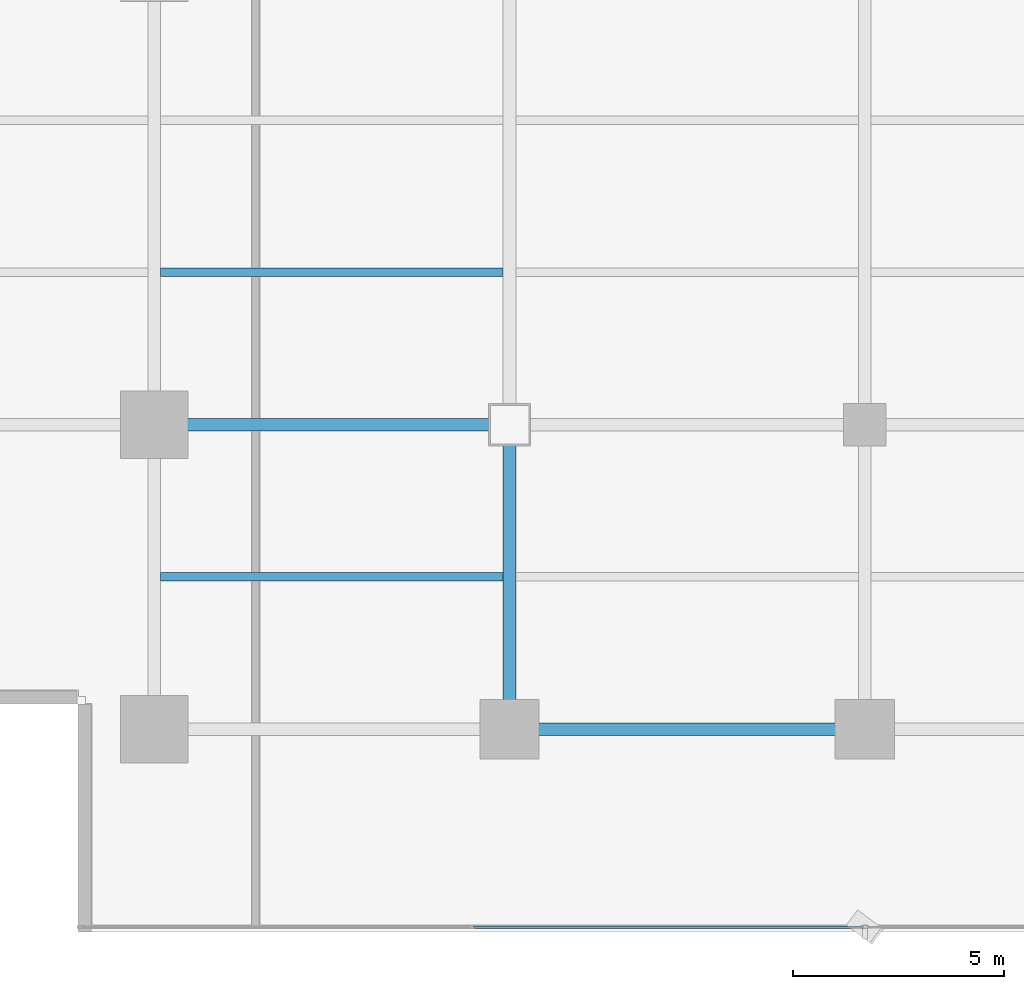
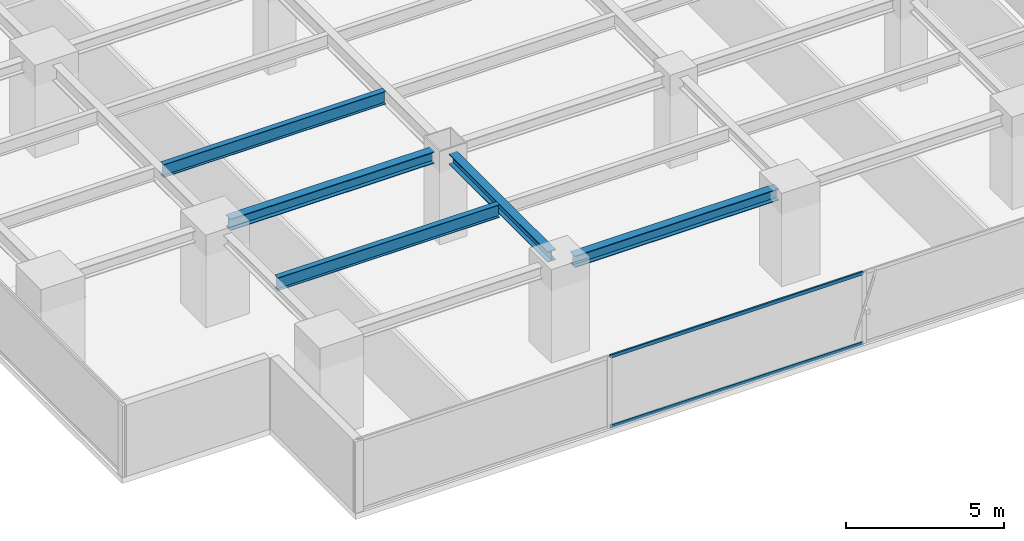
# One storey, part 4 of 27: 5 beams, 2 members, 1 element without a shape of its own.
"""IFC4 building model written with IfcOpenShell, lengths in metres."""

from ifc_helpers import new_model, si_unit, direction, frame, origin, origin_2d, place, context, subcontext, project, spatial, hollow_rectangle, i_section, extrude, source, transform, mapped, material, layer, layer_set, material_profile, profile_set, type_object, element, aggregate, save


model = new_model("IFC4")

# Units and contexts
model_context = context("Model", 3, precision=1e-05, world=origin(), true_north=direction((0.0, 1.0)))
body_context = subcontext(model_context, "Body", "Model", "MODEL_VIEW")
ifc_project = project(units=[si_unit("LENGTHUNIT", "METRE"), si_unit("AREAUNIT", "SQUARE_METRE"), si_unit("VOLUMEUNIT", "CUBIC_METRE"), si_unit("PLANEANGLEUNIT", "RADIAN"), si_unit("MASSUNIT", "GRAM", prefix="KILO")], contexts=[model_context])

# Site, building, storey
site_placement = place(None, origin())
site = spatial("IfcSite", under=ifc_project, at=site_placement, CompositionType="ELEMENT")
building_placement = place(site_placement, origin())
building = spatial("IfcBuilding", under=site, at=building_placement, Name="Sumidabori Civic Tower", CompositionType="ELEMENT")
storey_placement = place(building_placement, frame((0.0, 0.0, 156.800048828125)))
storey = spatial("IfcBuildingStorey", under=building, at=storey_placement, Name="L40", CompositionType="ELEMENT", Elevation=156.800048828125)

# Beams
ifc_material_1 = material(Name="Steel SN490", Category="steel")
ifc_material_profile_1 = material_profile(ifc_material_1, i_section(OverallWidth=0.300048828125, OverallDepth=0.39990234375, WebThickness=0.013427734375, FlangeThickness=0.02392578125, at=origin_2d()), Name="HE 400 B")
ifc_profile_set_1 = profile_set([ifc_material_profile_1], Name="Steel SN490")
beam_type_1 = type_object("IfcBeamType", Name="BM-GIRD-400", PredefinedType="BEAM", material=ifc_profile_set_1)
shared_shape_1 = source(origin(), body_context, "Body", "SweptSolid", [
    extrude(i_section(OverallWidth=0.300048828125, OverallDepth=0.39990234375, WebThickness=0.013427734375, FlangeThickness=0.02392578125, at=origin_2d()), origin(), (0.0, 0.0, 1.0), 6.239990234375),
])
beam_1_placement = place(storey_placement, frame((-8.39990234375, -17.52001953125, 3.179931640625), z_axis=(0.0, 1.0, 0.0), x_axis=(-1.0, 0.0, 0.0)))
element("IfcBeam", 1, at=beam_1_placement, inside=storey, type_object=beam_type_1, Name="Primary Girder L40 GY-26", PredefinedType="BEAM", context=body_context, shape_type="MappedRepresentation", body=[
    mapped(shared_shape_1, transform((0.0, 0.0, 0.0), x_axis=(1.0, 0.0, 0.0), y_axis=(0.0, 1.0, 0.0), z_axis=(0.0, 0.0, 1.0), scale=1.0)),
])
ifc_material_profile_2 = material_profile(ifc_material_1, i_section(OverallWidth=0.199951171875, OverallDepth=0.5, WebThickness=0.01025390625, FlangeThickness=0.01611328125, at=origin_2d()), Name="IPE 500")
ifc_profile_set_2 = profile_set([ifc_material_profile_2], Name="Steel SN490")
beam_type_2 = type_object("IfcBeamType", Name="BM-JST-500", PredefinedType="JOIST", material=ifc_profile_set_2)
shared_shape_2 = source(origin(), body_context, "Body", "SweptSolid", [
    extrude(i_section(OverallWidth=0.199951171875, OverallDepth=0.5, WebThickness=0.01025390625, FlangeThickness=0.01611328125, at=origin_2d()), origin(), (0.0, 0.0, 1.0), 8.099853515625),
])
for number, where, z_axis, x_axis, name in (
    (2, (-16.64990234375, -14.39990234375, 3.1298828125), (1.0, 0.0, 0.0), (0.0, 1.0, 0.0), "South Bay Floor Joist L40 JSTS-49"),
    (3, (-16.64990234375, -7.199951171875, 3.1298828125), (1.0, 0.0, 0.0), (0.0, 1.0, 0.0), "South Bay Floor Joist L40 JSTS-53"),
):
    element("IfcBeam", number, at=place(storey_placement, frame(where, z_axis=z_axis, x_axis=x_axis)), inside=storey, type_object=beam_type_2, Name=name, PredefinedType="JOIST", context=body_context, shape_type="MappedRepresentation", body=[
        mapped(shared_shape_2, transform((0.0, 0.0, 0.0), x_axis=(1.0, 0.0, 0.0), y_axis=(0.0, 1.0, 0.0), z_axis=(0.0, 0.0, 1.0), scale=1.0)),
    ])
ifc_material_profile_3 = material_profile(ifc_material_1, i_section(OverallWidth=0.300048828125, OverallDepth=0.449951171875, WebThickness=0.013916015625, FlangeThickness=0.02587890625, at=origin_2d()), Name="HE 450 B")
ifc_profile_set_3 = profile_set([ifc_material_profile_3], Name="Steel SN490")
beam_type_3 = type_object("IfcBeamType", Name="BM-GIRD-450", PredefinedType="BEAM", material=ifc_profile_set_3)
shared_shape_3 = source(origin(), body_context, "Body", "SweptSolid", [
    extrude(i_section(OverallWidth=0.300048828125, OverallDepth=0.449951171875, WebThickness=0.013916015625, FlangeThickness=0.02587890625, at=origin_2d()), origin(), (0.0, 0.0, 1.0), 7.440185546875),
])
beam_2_placement = place(storey_placement, frame((-16.320068359375, -10.800048828125, 3.155029296875), z_axis=(1.0, 0.0, 0.0), x_axis=(0.0, 1.0, 0.0)))
element("IfcBeam", 4, at=beam_2_placement, inside=storey, type_object=beam_type_3, Name="Primary Girder L40 GX-06", PredefinedType="BEAM", context=body_context, shape_type="MappedRepresentation", body=[
    mapped(shared_shape_3, transform((0.0, 0.0, 0.0), x_axis=(1.0, 0.0, 0.0), y_axis=(0.0, 1.0, 0.0), z_axis=(0.0, 0.0, 1.0), scale=1.0)),
])
shared_shape_4 = source(origin(), body_context, "Body", "SweptSolid", [
    extrude(i_section(OverallWidth=0.300048828125, OverallDepth=0.449951171875, WebThickness=0.013916015625, FlangeThickness=0.02587890625, at=origin_2d()), origin(), (0.0, 0.0, 1.0), 7.43994140625),
])
beam_3_placement = place(storey_placement, frame((-7.919921875, -18.0, 3.155029296875), z_axis=(1.0, 0.0, 0.0), x_axis=(0.0, 1.0, 0.0)))
element("IfcBeam", 5, at=beam_3_placement, inside=storey, type_object=beam_type_3, Name="Primary Girder L40 GX-02", PredefinedType="BEAM", context=body_context, shape_type="MappedRepresentation", body=[
    mapped(shared_shape_4, transform((0.0, 0.0, 0.0), x_axis=(1.0, 0.0, 0.0), y_axis=(0.0, 1.0, 0.0), z_axis=(0.0, 0.0, 1.0), scale=1.0)),
])

# Curtain wall, members
ifc_material_2 = material(Name="Anodised Bronze Aluminium AW-6063-T6", Category="aluminium")
ifc_layer = layer(ifc_material_2, 0.179931640625, Name="Anodised Bronze Aluminium AW-6063-T6")
ifc_layer_set = layer_set([ifc_layer], Name="Anodised Bronze Aluminium AW-6063-T6")
curtain_wall_type = type_object("IfcCurtainWallType", Name="CW-SYS-3", PredefinedType="NOTDEFINED", material=ifc_layer_set)
curtain_wall_placement = place(storey_placement, origin())
curtain_wall = element("IfcCurtainWall", 6, at=curtain_wall_placement, inside=storey, type_object=curtain_wall_type, Name="Curtain Wall CW:L40:R01", PredefinedType="NOTDEFINED")
ifc_material_profile_4 = material_profile(ifc_material_2, hollow_rectangle(XDim=0.06005859375, YDim=0.1298828125, WallThickness=0.0048828125, at=origin_2d()), Name="ALU TRANSOM 130x60")
ifc_profile_set_4 = profile_set([ifc_material_profile_4], Name="Anodised Bronze Aluminium AW-6063-T6")
member_type = type_object("IfcMemberType", Name="CW-TRN-130", PredefinedType="USERDEFINED", material=ifc_profile_set_4)
shared_shape_5 = source(origin(), body_context, "Body", "SweptSolid", [
    extrude(hollow_rectangle(XDim=0.06005859375, YDim=0.1298828125, WallThickness=0.0048828125, at=origin_2d()), origin(), (0.0, 0.0, 1.0), 9.219970703125),
])
member_1_placement = place(storey_placement, frame((-9.25244140625, -22.679931640625, 0.030029296875), z_axis=(1.0, 0.0, 0.0), x_axis=(0.0, 1.0, 0.0)))
member_1 = element("IfcMember", 7, at=member_1_placement, type_object=member_type, Name="CW-3 transom 2.1", ObjectType="TRANSOM", PredefinedType="USERDEFINED", context=body_context, shape_type="MappedRepresentation", body=[
    mapped(shared_shape_5, transform((0.0, 0.0, 0.0), x_axis=(1.0, 0.0, 0.0), y_axis=(0.0, 1.0, 0.0), z_axis=(0.0, 0.0, 1.0), scale=1.0)),
])
member_2_placement = place(storey_placement, frame((-9.25244140625, -22.679931640625, 2.72998046875), z_axis=(1.0, 0.0, 0.0), x_axis=(0.0, 1.0, 0.0)))
member_2 = element("IfcMember", 8, at=member_2_placement, type_object=member_type, Name="CW-3 transom 2.2", ObjectType="TRANSOM", PredefinedType="USERDEFINED", context=body_context, shape_type="MappedRepresentation", body=[
    mapped(shared_shape_5, transform((0.0, 0.0, 0.0), x_axis=(1.0, 0.0, 0.0), y_axis=(0.0, 1.0, 0.0), z_axis=(0.0, 0.0, 1.0), scale=1.0)),
])
aggregate(curtain_wall, [member_1, member_2])

save(model, "model.ifc")
